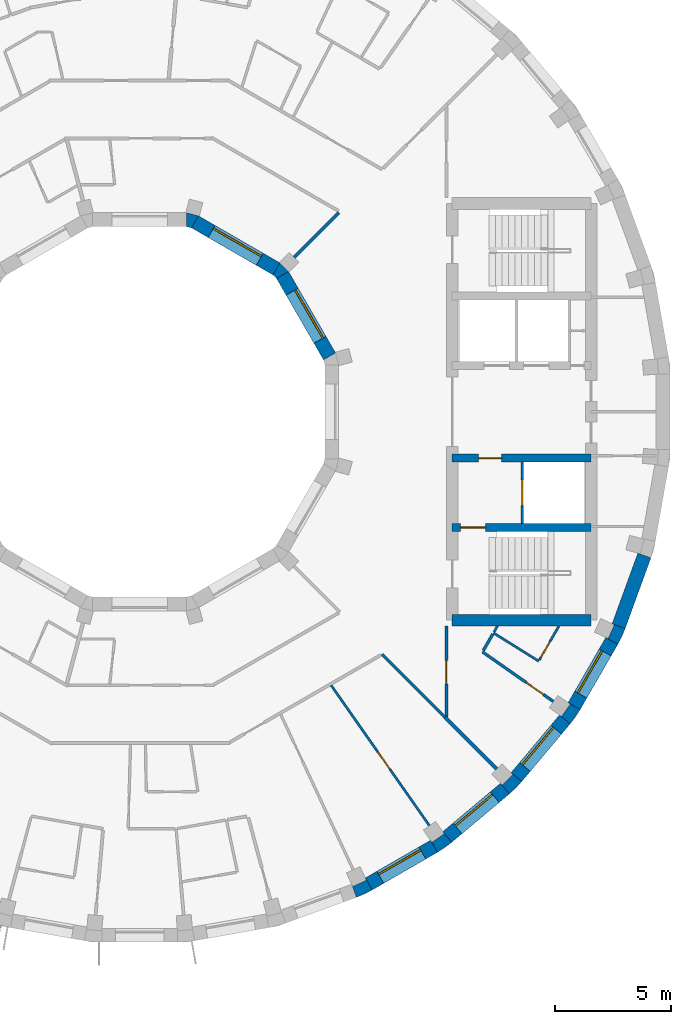
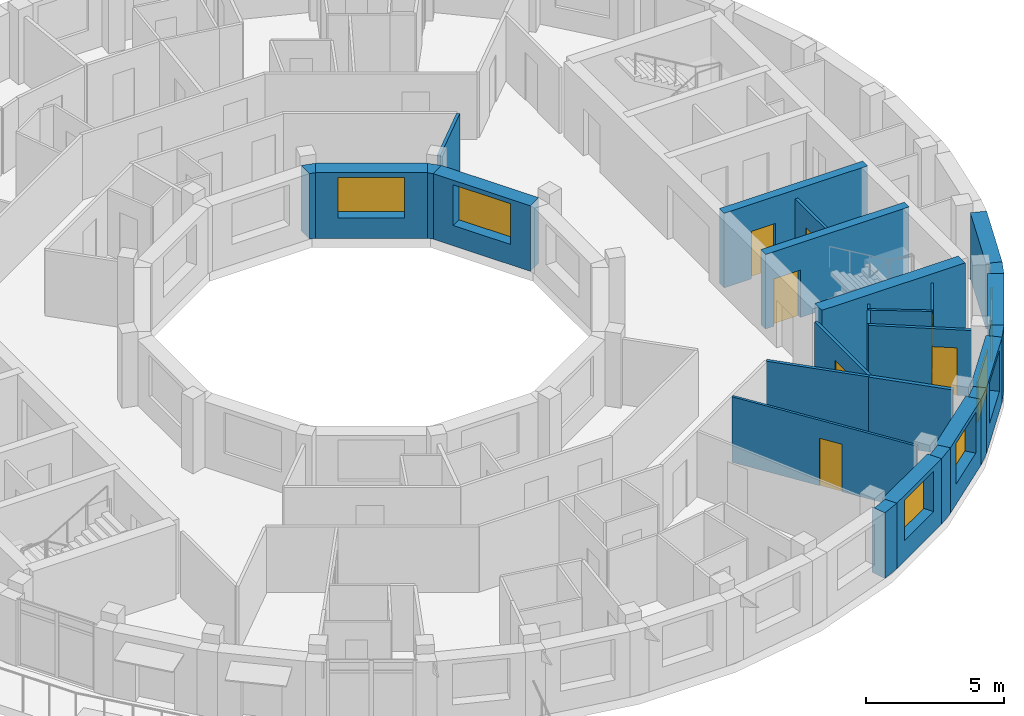
# One storey, part 7 of 12: 28 walls, 7 doors, 6 windows, 13 openings.
"""IFC4 building model written with IfcOpenShell, lengths in metres."""

from ifc_helpers import new_model, si_unit, direction, frame, frame_2d, origin, place, context, subcontext, project, spatial, polyline, rectangle, outline, extrude, material, layer, layer_set, type_object, element, fill, save


model = new_model("IFC4")

# Units and contexts
model_context = context("Model", 3, precision=1e-05, world=origin(), true_north=direction((0.0, 1.0)))
body_context = subcontext(model_context, "Body", "Model", "MODEL_VIEW")
ifc_project = project(units=[si_unit("LENGTHUNIT", "METRE"), si_unit("AREAUNIT", "SQUARE_METRE"), si_unit("VOLUMEUNIT", "CUBIC_METRE"), si_unit("PLANEANGLEUNIT", "RADIAN"), si_unit("MASSUNIT", "GRAM", prefix="KILO")], contexts=[model_context])

# Site, building, storey
site_placement = place(None, origin())
site = spatial("IfcSite", under=ifc_project, at=site_placement, CompositionType="ELEMENT")
building_placement = place(site_placement, origin())
building = spatial("IfcBuilding", under=site, at=building_placement, Name="Saqina Gate Tower", CompositionType="ELEMENT")
storey_placement = place(building_placement, frame((0.0, 0.0, 266.0)))
storey = spatial("IfcBuildingStorey", under=building, at=storey_placement, Name="L76", CompositionType="ELEMENT", Elevation=266.0)

# Walls
ifc_material_1 = material(Name="Brick masonry (buff)", Category="masonry")
wall_type_1 = type_object("IfcWallType", Name="BRICK PIER COPING BUFF", PredefinedType="SOLIDWALL", material=ifc_material_1)
wall_1_placement = place(storey_placement, origin())
element("IfcWall", 1, at=wall_1_placement, inside=storey, type_object=wall_type_1, Name="Pier cap L76 column 30", PredefinedType="SOLIDWALL", context=body_context, shape_type="SweptSolid", body=[
    extrude(outline(polyline([(9.3642578125, -20.974609375), (10.048095703125, -20.65576171875), (9.748291015625, -20.135986328125), (9.79296875, -20.23193359375), (9.203857421875, -20.506591796875), (9.1591796875, -20.410888671875), (9.3642578125, -20.974609375)])), origin(), (0.0, 0.0, 1.0), 2.89990234375),
])
wall_2_placement = place(storey_placement, origin())
element("IfcWall", 2, at=wall_2_placement, inside=storey, type_object=wall_type_1, Name="Pier cap L76 column 31", PredefinedType="SOLIDWALL", context=body_context, shape_type="SweptSolid", body=[
    extrude(outline(polyline([(12.8642578125, -19.02978515625), (13.482421875, -18.59716796875), (13.0966796875, -18.137451171875), (13.157470703125, -18.22412109375), (12.625, -18.596923828125), (12.564208984375, -18.51025390625), (12.8642578125, -19.02978515625)])), origin(), (0.0, 0.0, 1.0), 2.89990234375),
])
wall_3_placement = place(storey_placement, origin())
element("IfcWall", 3, at=wall_3_placement, inside=storey, type_object=wall_type_1, Name="Pier cap L76 column 32", PredefinedType="SOLIDWALL", context=body_context, shape_type="SweptSolid", body=[
    extrude(outline(polyline([(16.5068359375, -15.973388671875), (16.04736328125, -15.587646484375), (16.1220703125, -15.662353515625), (15.662353515625, -16.1220703125), (15.587646484375, -16.04736328125), (15.973388671875, -16.5068359375), (16.5068359375, -15.973388671875)])), origin(), (0.0, 0.0, 1.0), 2.89990234375),
])
wall_4_placement = place(storey_placement, origin())
element("IfcWall", 4, at=wall_4_placement, inside=storey, type_object=wall_type_1, Name="Pier cap L76 column 33", PredefinedType="SOLIDWALL", context=body_context, shape_type="SweptSolid", body=[
    extrude(outline(polyline([(19.02978515625, -12.8642578125), (18.51025390625, -12.564208984375), (18.596923828125, -12.625), (18.22412109375, -13.157470703125), (18.137451171875, -13.0966796875), (18.59716796875, -13.482421875), (19.02978515625, -12.8642578125)])), origin(), (0.0, 0.0, 1.0), 2.89990234375),
])
wall_5_placement = place(storey_placement, origin())
element("IfcWall", 5, at=wall_5_placement, inside=storey, type_object=wall_type_1, Name="Pier cap L76 column 34", PredefinedType="SOLIDWALL", context=body_context, shape_type="SweptSolid", body=[
    extrude(outline(polyline([(20.65576171875, -10.048095703125), (20.974609375, -9.3642578125), (20.410888671875, -9.1591796875), (20.506591796875, -9.203857421875), (20.23193359375, -9.79296875), (20.135986328125, -9.748291015625), (20.65576171875, -10.048095703125)])), origin(), (0.0, 0.0, 1.0), 2.89990234375),
])

# Wall, opening, window
ifc_material_2 = material(Name="Brick masonry (buff)", Category="masonry")
ifc_layer_1 = layer(ifc_material_2, 0.60009765625)
ifc_layer_set_1 = layer_set([ifc_layer_1], Name="FW-BRICK-BUFF")
wall_type_2 = type_object("IfcWallType", Name="FW-BRICK-BUFF", PredefinedType="SOLIDWALL", material=ifc_layer_set_1)
wall_6_placement = place(storey_placement, frame((9.898193359375, -20.39599609375, 0.0), z_axis=(0.0, 0.0, 1.0), x_axis=(0.866016800201, 0.500014901547, 0.0)))
wall_6 = element("IfcWall", 6, at=wall_6_placement, inside=storey, type_object=wall_type_2, Name="Facade wall L76 facet 30", PredefinedType="SOLIDWALL", context=body_context, shape_type="SweptSolid", body=[
    extrude(rectangle(XDim=3.251953125, YDim=0.60009765625, at=frame_2d((1.6259765625, 0.0))), origin(), (0.0, 0.0, 1.0), 2.89990234375),
])
opening_1_placement = place(wall_6_placement, frame((0.57568359375, 0.0, 0.89990234375)))
opening_1 = element("IfcOpeningElement", 7, at=opening_1_placement, cuts=wall_6, Name="Opening G22-W19", PredefinedType="OPENING", context=body_context, shape_type="SweptSolid", body=[
    extrude(rectangle(XDim=2.10009765625, YDim=1.800048828125, at=frame_2d((1.050048828125, 0.89990234375))), frame((0.0, 0.31201171875, 0.0), z_axis=(0.0, -1.0, 0.0), x_axis=(1.0, 0.0, 0.0)), (0.0, 0.0, 1.0), 0.6240234375),
])
ifc_material_3 = material(Name="Aluminium glazing", Category="aluminium")
window_type_1 = type_object("IfcWindowType", Name="WN-D", PartitioningType="SINGLE_PANEL", PredefinedType="WINDOW", material=ifc_material_3)
window_1_placement = place(opening_1_placement, origin())
window_1 = element("IfcWindow", 8, at=window_1_placement, inside=storey, type_object=window_type_1, Name="Window L76 facet 30", OverallHeight=1.800048828125, OverallWidth=2.10009765625, PartitioningType="SINGLE_PANEL", PredefinedType="WINDOW", context=body_context, shape_type="SweptSolid", body=[
    extrude(rectangle(XDim=2.10009765625, YDim=1.800048828125, at=frame_2d((1.050048828125, 0.89990234375))), frame((0.0, 0.179931640625, 0.0), z_axis=(0.0, -1.0, 0.0), x_axis=(1.0, 0.0, 0.0)), (0.0, 0.0, 1.0), 0.06005859375),
])
fill(opening_1, window_1)

wall_7_placement = place(storey_placement, frame((13.28955078125, -18.3671875, 0.0), z_axis=(0.0, 0.0, 1.0), x_axis=(0.766056773982, 0.64277291405, 0.0)))
wall_7 = element("IfcWall", 9, at=wall_7_placement, inside=storey, type_object=wall_type_2, Name="Facade wall L76 facet 31", PredefinedType="SOLIDWALL", context=body_context, shape_type="SweptSolid", body=[
    extrude(rectangle(XDim=3.251708984375, YDim=0.60009765625, at=frame_2d((1.6259765625, 0.0))), origin(), (0.0, 0.0, 1.0), 2.89990234375),
])
opening_2_placement = place(wall_7_placement, frame((0.57568359375, 0.0, 0.89990234375)))
opening_2 = element("IfcOpeningElement", 10, at=opening_2_placement, cuts=wall_7, Name="Opening G22-W20", PredefinedType="OPENING", context=body_context, shape_type="SweptSolid", body=[
    extrude(rectangle(XDim=2.10009765625, YDim=1.800048828125, at=frame_2d((1.050048828125, 0.89990234375))), frame((0.0, 0.31201171875, 0.0), z_axis=(0.0, -1.0, 0.0), x_axis=(1.0, 0.0, 0.0)), (0.0, 0.0, 1.0), 0.6240234375),
])
window_2_placement = place(opening_2_placement, origin())
window_2 = element("IfcWindow", 11, at=window_2_placement, inside=storey, type_object=window_type_1, Name="Window L76 facet 31", OverallHeight=1.800048828125, OverallWidth=2.10009765625, PartitioningType="SINGLE_PANEL", PredefinedType="WINDOW", context=body_context, shape_type="SweptSolid", body=[
    extrude(rectangle(XDim=2.10009765625, YDim=1.800048828125, at=frame_2d((1.050048828125, 0.89990234375))), frame((0.0, 0.179931640625, 0.0), z_axis=(0.0, -1.0, 0.0), x_axis=(1.0, 0.0, 0.0)), (0.0, 0.0, 1.0), 0.06005859375),
])
fill(opening_2, window_2)

wall_8_placement = place(storey_placement, frame((16.277099609375, -15.780517578125, 0.0), z_axis=(0.0, 0.0, 1.0), x_axis=(0.64277291405, 0.766056773982, 0.0)))
wall_8 = element("IfcWall", 12, at=wall_8_placement, inside=storey, type_object=wall_type_2, Name="Facade wall L76 facet 32", PredefinedType="SOLIDWALL", context=body_context, shape_type="SweptSolid", body=[
    extrude(rectangle(XDim=3.251708984375, YDim=0.60009765625, at=frame_2d((1.6259765625, 0.0))), origin(), (0.0, 0.0, 1.0), 2.89990234375),
])
opening_3_placement = place(wall_8_placement, frame((0.57568359375, 0.0, 0.89990234375)))
opening_3 = element("IfcOpeningElement", 13, at=opening_3_placement, cuts=wall_8, Name="Opening G22-W21", PredefinedType="OPENING", context=body_context, shape_type="SweptSolid", body=[
    extrude(rectangle(XDim=2.10009765625, YDim=1.800048828125, at=frame_2d((1.050048828125, 0.89990234375))), frame((0.0, 0.31201171875, 0.0), z_axis=(0.0, -1.0, 0.0), x_axis=(1.0, 0.0, 0.0)), (0.0, 0.0, 1.0), 0.6240234375),
])
window_3_placement = place(opening_3_placement, origin())
window_3 = element("IfcWindow", 14, at=window_3_placement, inside=storey, type_object=window_type_1, Name="Window L76 facet 32", OverallHeight=1.800048828125, OverallWidth=2.10009765625, PartitioningType="SINGLE_PANEL", PredefinedType="WINDOW", context=body_context, shape_type="SweptSolid", body=[
    extrude(rectangle(XDim=2.10009765625, YDim=1.800048828125, at=frame_2d((1.050048828125, 0.89990234375))), frame((0.0, 0.179931640625, 0.0), z_axis=(0.0, -1.0, 0.0), x_axis=(1.0, 0.0, 0.0)), (0.0, 0.0, 1.0), 0.06005859375),
])
fill(opening_3, window_3)

wall_9_placement = place(storey_placement, frame((18.77001953125, -12.71435546875, 0.0), z_axis=(0.0, 0.0, 1.0), x_axis=(0.500014901547, 0.866016800201, 0.0)))
wall_9 = element("IfcWall", 15, at=wall_9_placement, inside=storey, type_object=wall_type_2, Name="Facade wall L76 facet 33", PredefinedType="SOLIDWALL", context=body_context, shape_type="SweptSolid", body=[
    extrude(rectangle(XDim=3.251953125, YDim=0.60009765625, at=frame_2d((1.6259765625, 0.0))), origin(), (0.0, 0.0, 1.0), 2.89990234375),
])
opening_4_placement = place(wall_9_placement, frame((0.57568359375, 0.0, 0.89990234375)))
opening_4 = element("IfcOpeningElement", 16, at=opening_4_placement, cuts=wall_9, Name="Opening G22-W22", PredefinedType="OPENING", context=body_context, shape_type="SweptSolid", body=[
    extrude(rectangle(XDim=2.10009765625, YDim=1.800048828125, at=frame_2d((1.050048828125, 0.89990234375))), frame((0.0, 0.31201171875, 0.0), z_axis=(0.0, -1.0, 0.0), x_axis=(1.0, 0.0, 0.0)), (0.0, 0.0, 1.0), 0.6240234375),
])
window_4_placement = place(opening_4_placement, origin())
window_4 = element("IfcWindow", 17, at=window_4_placement, inside=storey, type_object=window_type_1, Name="Window L76 facet 33", OverallHeight=1.800048828125, OverallWidth=2.10009765625, PartitioningType="SINGLE_PANEL", PredefinedType="WINDOW", context=body_context, shape_type="SweptSolid", body=[
    extrude(rectangle(XDim=2.10009765625, YDim=1.800048828125, at=frame_2d((1.050048828125, 0.89990234375))), frame((0.0, 0.179931640625, 0.0), z_axis=(0.0, -1.0, 0.0), x_axis=(1.0, 0.0, 0.0)), (0.0, 0.0, 1.0), 0.06005859375),
])
fill(opening_4, window_4)

# Wall
ifc_material_4 = material(Name="Glazed ceramic tile (dark blue)", Category="ceramic")
ifc_layer_2 = layer(ifc_material_4, 0.60009765625)
ifc_layer_set_2 = layer_set([ifc_layer_2], Name="FW-TILE-CB")
wall_type_3 = type_object("IfcWallType", Name="FW-TILE-CB", PredefinedType="SOLIDWALL", material=ifc_layer_set_2)
wall_10_placement = place(storey_placement, frame((20.692626953125, -9.26171875, 0.0), z_axis=(0.0, 0.0, 1.0), x_axis=(0.342056509473, 0.939679383794, 0.0)))
element("IfcWall", 18, at=wall_10_placement, inside=storey, type_object=wall_type_3, Name="Facade wall L76 facet 34", PredefinedType="SOLIDWALL", context=body_context, shape_type="SweptSolid", body=[
    extrude(rectangle(XDim=3.251708984375, YDim=0.60009765625, at=frame_2d((1.6259765625, 0.0))), origin(), (0.0, 0.0, 1.0), 2.89990234375),
])

# Wall, opening, window
ifc_material_5 = material(Name="Glazed ceramic tile", Category="ceramic")
ifc_layer_3 = layer(ifc_material_5, 0.60009765625)
ifc_layer_set_3 = layer_set([ifc_layer_3], Name="IW-TILE")
wall_type_4 = type_object("IfcWallType", Name="IW-TILE", PredefinedType="SOLIDWALL", material=ifc_layer_set_3)
wall_11_placement = place(storey_placement, frame((8.20263671875, 2.392578125, 0.0), z_axis=(0.0, 0.0, 1.0), x_axis=(-0.499994954979, 0.866028316509, 0.0)))
wall_11 = element("IfcWall", 19, at=wall_11_placement, inside=storey, type_object=wall_type_4, Name="Well wall L76 facet 1", PredefinedType="SOLIDWALL", context=body_context, shape_type="SweptSolid", body=[
    extrude(rectangle(XDim=4.05859375, YDim=0.60009765625, at=frame_2d((2.029296875, 0.0))), origin(), (0.0, 0.0, 1.0), 2.89990234375),
])
opening_5_placement = place(wall_11_placement, frame((0.829345703125, 0.0, 0.89990234375)))
opening_5 = element("IfcOpeningElement", 20, at=opening_5_placement, cuts=wall_11, Name="Opening G22-W23", PredefinedType="OPENING", context=body_context, shape_type="SweptSolid", body=[
    extrude(rectangle(XDim=2.39990234375, YDim=1.800048828125, at=frame_2d((1.199951171875, 0.89990234375))), frame((0.0, 0.31201171875, 0.0), z_axis=(0.0, -1.0, 0.0), x_axis=(1.0, 0.0, 0.0)), (0.0, 0.0, 1.0), 0.6240234375),
])
ifc_material_6 = material(Name="Aluminium glazing", Category="aluminium")
window_type_2 = type_object("IfcWindowType", Name="WN-W", PartitioningType="SINGLE_PANEL", PredefinedType="WINDOW", material=ifc_material_6)
window_5_placement = place(opening_5_placement, origin())
window_5 = element("IfcWindow", 21, at=window_5_placement, inside=storey, type_object=window_type_2, Name="Well window L76 facet 1", OverallHeight=1.800048828125, OverallWidth=2.39990234375, PartitioningType="SINGLE_PANEL", PredefinedType="WINDOW", context=body_context, shape_type="SweptSolid", body=[
    extrude(rectangle(XDim=2.39990234375, YDim=1.800048828125, at=frame_2d((1.199951171875, 0.89990234375))), frame((0.0, -0.119873046875, 0.0), z_axis=(0.0, -1.0, 0.0), x_axis=(1.0, 0.0, 0.0)), (0.0, 0.0, 1.0), 0.06005859375),
])
fill(opening_5, window_5)

wall_12_placement = place(storey_placement, frame((5.907470703125, 6.17333984375, 0.0), z_axis=(0.0, 0.0, 1.0), x_axis=(-0.866028316509, 0.499994954979, 0.0)))
wall_12 = element("IfcWall", 22, at=wall_12_placement, inside=storey, type_object=wall_type_4, Name="Well wall L76 facet 2", PredefinedType="SOLIDWALL", context=body_context, shape_type="SweptSolid", body=[
    extrude(rectangle(XDim=4.05859375, YDim=0.60009765625, at=frame_2d((2.029296875, 0.0))), origin(), (0.0, 0.0, 1.0), 2.89990234375),
])
opening_6_placement = place(wall_12_placement, frame((0.829345703125, 0.0, 0.89990234375)))
opening_6 = element("IfcOpeningElement", 23, at=opening_6_placement, cuts=wall_12, Name="Opening G22-W24", PredefinedType="OPENING", context=body_context, shape_type="SweptSolid", body=[
    extrude(rectangle(XDim=2.39990234375, YDim=1.800048828125, at=frame_2d((1.199951171875, 0.89990234375))), frame((0.0, 0.31201171875, 0.0), z_axis=(0.0, -1.0, 0.0), x_axis=(1.0, 0.0, 0.0)), (0.0, 0.0, 1.0), 0.6240234375),
])
window_6_placement = place(opening_6_placement, origin())
window_6 = element("IfcWindow", 24, at=window_6_placement, inside=storey, type_object=window_type_2, Name="Well window L76 facet 2", OverallHeight=1.800048828125, OverallWidth=2.39990234375, PartitioningType="SINGLE_PANEL", PredefinedType="WINDOW", context=body_context, shape_type="SweptSolid", body=[
    extrude(rectangle(XDim=2.39990234375, YDim=1.800048828125, at=frame_2d((1.199951171875, 0.89990234375))), frame((0.0, -0.119873046875, 0.0), z_axis=(0.0, -1.0, 0.0), x_axis=(1.0, 0.0, 0.0)), (0.0, 0.0, 1.0), 0.06005859375),
])
fill(opening_6, window_6)

# Wall, opening, door
ifc_material_7 = material(Name="Gypsum board on steel studs, 100 mm", Category="steel")
ifc_layer_4 = layer(ifc_material_7, 0.10009765625)
ifc_layer_set_4 = layer_set([ifc_layer_4], Name="PARTITION 100")
wall_type_5 = type_object("IfcWallType", Name="PARTITION 100", PredefinedType="PARTITIONING", material=ifc_layer_set_4)
wall_13_placement = place(storey_placement, frame((8.275390625, -11.818115234375, 0.0), z_axis=(0.0, 0.0, 1.0), x_axis=(0.573597629831, -0.819137204046, 0.0)))
wall_13 = element("IfcWall", 25, at=wall_13_placement, inside=storey, type_object=wall_type_5, Name="PARTITION PW3-14", PredefinedType="PARTITIONING", context=body_context, shape_type="SweptSolid", body=[
    extrude(rectangle(XDim=7.3876953125, YDim=0.10009765625, at=frame_2d((3.69384765625, 0.0))), origin(), (0.0, 0.0, 1.0), 2.89990234375),
])
opening_7_placement = place(wall_13_placement, frame((3.50390625, 0.0, 0.0)))
opening_7 = element("IfcOpeningElement", 26, at=opening_7_placement, cuts=wall_13, Name="Opening G22-D42", PredefinedType="OPENING", context=body_context, shape_type="SweptSolid", body=[
    extrude(rectangle(XDim=0.89990234375, YDim=2.10009765625, at=frame_2d((0.449951171875, 1.050048828125))), frame((0.0, 0.06201171875, 0.0), z_axis=(0.0, -1.0, 0.0), x_axis=(1.0, 0.0, 0.0)), (0.0, 0.0, 1.0), 0.1240234375),
])
ifc_material_8 = material(Name="Timber door leaf, 900 mm", Category="wood")
door_type_1 = type_object("IfcDoorType", Name="DOOR 900 TIMBER", OperationType="SINGLE_SWING_LEFT", PredefinedType="DOOR", material=ifc_material_8)
door_1_placement = place(opening_7_placement, frame((0.89990234375, 0.0, 0.0), z_axis=(0.0, 0.0, 1.0), x_axis=(-1.0, 0.0, 0.0)))
door_1 = element("IfcDoor", 27, at=door_1_placement, inside=storey, type_object=door_type_1, Name="DOOR G22-D42", OperationType="SINGLE_SWING_LEFT", OverallHeight=2.10009765625, OverallWidth=0.89990234375, PredefinedType="DOOR", context=body_context, shape_type="SweptSolid", body=[
    extrude(rectangle(XDim=0.89990234375, YDim=2.10009765625, at=frame_2d((0.449951171875, 1.050048828125))), frame((0.0, 0.02490234375, 0.0), z_axis=(0.0, -1.0, 0.0), x_axis=(1.0, 0.0, 0.0)), (0.0, 0.0, 1.0), 0.050048828125),
])
fill(opening_7, door_1)

# Walls
wall_14_placement = place(storey_placement, frame((15.284912109375, -9.550048828125, 0.0), z_axis=(0.0, 0.0, 1.0), x_axis=(0.848022135911, -0.529960807047, 0.0)))
element("IfcWall", 28, at=wall_14_placement, inside=storey, type_object=wall_type_5, Name="PARTITION PW3-15", PredefinedType="PARTITIONING", context=body_context, shape_type="SweptSolid", body=[
    extrude(rectangle(XDim=2.302001953125, YDim=0.10009765625, at=frame_2d((1.15087890625, 0.0))), origin(), (0.0, 0.0, 1.0), 2.89990234375),
])
wall_15_placement = place(storey_placement, frame((15.31005859375, -9.5068359375, 0.0), z_axis=(0.0, 0.0, 1.0), x_axis=(0.503206273965, 0.864166329963, 0.0)))
element("IfcWall", 29, at=wall_15_placement, inside=storey, type_object=wall_type_5, Name="PARTITION PW3-41", PredefinedType="PARTITIONING", context=body_context, shape_type="SweptSolid", body=[
    extrude(rectangle(XDim=0.296875, YDim=0.10009765625, at=frame_2d((0.1484375, 0.0))), origin(), (0.0, 0.0, 1.0), 2.89990234375),
])

# Wall, opening, door
wall_16_placement = place(storey_placement, frame((17.261962890625, -10.726806640625, 0.0), z_axis=(0.0, 0.0, 1.0), x_axis=(0.499743113806, 0.866173666307, 0.0)))
wall_16 = element("IfcWall", 30, at=wall_16_placement, inside=storey, type_object=wall_type_5, Name="PARTITION PW3-42", PredefinedType="PARTITIONING", context=body_context, shape_type="SweptSolid", body=[
    extrude(rectangle(XDim=1.705078125, YDim=0.10009765625, at=frame_2d((0.8525390625, 0.0))), origin(), (0.0, 0.0, 1.0), 2.89990234375),
])
opening_8_placement = place(wall_16_placement, frame((0.12744140625, 0.0, 0.0)))
opening_8 = element("IfcOpeningElement", 31, at=opening_8_placement, cuts=wall_16, Name="Opening G22-D45", PredefinedType="OPENING", context=body_context, shape_type="SweptSolid", body=[
    extrude(rectangle(XDim=0.800048828125, YDim=2.10009765625, at=frame_2d((0.39990234375, 1.050048828125))), frame((0.0, 0.06201171875, 0.0), z_axis=(0.0, -1.0, 0.0), x_axis=(1.0, 0.0, 0.0)), (0.0, 0.0, 1.0), 0.1240234375),
])
ifc_material_9 = material(Name="Timber door leaf, 800 mm", Category="wood")
door_type_2 = type_object("IfcDoorType", Name="DOOR 800 TIMBER", OperationType="SINGLE_SWING_LEFT", PredefinedType="DOOR", material=ifc_material_9)
door_2_placement = place(opening_8_placement, frame((0.800048828125, 0.0, 0.0), z_axis=(0.0, 0.0, 1.0), x_axis=(-1.0, 0.0, 0.0)))
door_2 = element("IfcDoor", 32, at=door_2_placement, inside=storey, type_object=door_type_2, Name="DOOR G22-D45", OperationType="SINGLE_SWING_RIGHT", OverallHeight=2.10009765625, OverallWidth=0.800048828125, PredefinedType="DOOR", context=body_context, shape_type="SweptSolid", body=[
    extrude(rectangle(XDim=0.800048828125, YDim=2.10009765625, at=frame_2d((0.39990234375, 1.050048828125))), frame((0.0, 0.02490234375, 0.0), z_axis=(0.0, -1.0, 0.0), x_axis=(1.0, 0.0, 0.0)), (0.0, 0.0, 1.0), 0.050048828125),
])
fill(opening_8, door_2)

# Wall
ifc_material_10 = material(Name="Gypsum board on steel studs, 125 mm, fire rated", Category="steel")
ifc_layer_5 = layer(ifc_material_10, 0.125)
ifc_layer_set_5 = layer_set([ifc_layer_5], Name="PARTITION EI 30 125")
wall_type_6 = type_object("IfcWallType", Name="PARTITION EI 30 125", PredefinedType="PARTITIONING", material=ifc_layer_set_5)
wall_17_placement = place(storey_placement, frame((10.47705078125, -10.47509765625, 0.0), z_axis=(0.0, 0.0, 1.0), x_axis=(0.707106781187, -0.707106781187, 0.0)))
element("IfcWall", 33, at=wall_17_placement, inside=storey, type_object=wall_type_6, Name="PARTITION PW1-07", PredefinedType="PARTITIONING", context=body_context, shape_type="SweptSolid", body=[
    extrude(rectangle(XDim=3.847900390625, YDim=0.125, at=frame_2d((1.923828125, 0.0))), origin(), (0.0, 0.0, 1.0), 2.89990234375),
])

# Wall, opening, door
wall_18_placement = place(storey_placement, frame((14.81103515625, -10.37109375, 0.0), z_axis=(0.0, 0.0, 1.0), x_axis=(0.819345561084, -0.57329996645, 0.0)))
wall_18 = element("IfcWall", 34, at=wall_18_placement, inside=storey, type_object=wall_type_6, Name="PARTITION PW1-08", PredefinedType="PARTITIONING", context=body_context, shape_type="SweptSolid", body=[
    extrude(rectangle(XDim=3.73388671875, YDim=0.125, at=frame_2d((1.866943359375, 0.0))), origin(), (0.0, 0.0, 1.0), 2.89990234375),
])
opening_9_placement = place(wall_18_placement, frame((2.30810546875, 0.0, 0.0)))
opening_9 = element("IfcOpeningElement", 35, at=opening_9_placement, cuts=wall_18, Name="Opening G22-D44", PredefinedType="OPENING", context=body_context, shape_type="SweptSolid", body=[
    extrude(rectangle(XDim=0.89990234375, YDim=2.10009765625, at=frame_2d((0.449951171875, 1.050048828125))), frame((0.0, 0.074462890625, 0.0), z_axis=(0.0, -1.0, 0.0), x_axis=(1.0, 0.0, 0.0)), (0.0, 0.0, 1.0), 0.14892578125),
])
ifc_material_11 = material(Name="Fire door leaf EI 30, 900 mm")
door_type_3 = type_object("IfcDoorType", Name="DOOR 900 EI 30", OperationType="SINGLE_SWING_LEFT", PredefinedType="DOOR", material=ifc_material_11)
door_3_placement = place(opening_9_placement, frame((0.89990234375, 0.0, 0.0), z_axis=(0.0, 0.0, 1.0), x_axis=(-1.0, 0.0, 0.0)))
door_3 = element("IfcDoor", 36, at=door_3_placement, inside=storey, type_object=door_type_3, Name="DOOR G22-D44", OperationType="SINGLE_SWING_LEFT", OverallHeight=2.10009765625, OverallWidth=0.89990234375, PredefinedType="DOOR", context=body_context, shape_type="SweptSolid", body=[
    extrude(rectangle(XDim=0.89990234375, YDim=2.10009765625, at=frame_2d((0.449951171875, 1.050048828125))), frame((0.0, 0.02490234375, 0.0), z_axis=(0.0, -1.0, 0.0), x_axis=(1.0, 0.0, 0.0)), (0.0, 0.0, 1.0), 0.050048828125),
])
fill(opening_9, door_3)

# Walls
wall_19_placement = place(storey_placement, frame((6.6767578125, 6.6767578125, 0.0), z_axis=(0.0, 0.0, 1.0), x_axis=(0.707106781187, 0.707106781187, 0.0)))
element("IfcWall", 37, at=wall_19_placement, inside=storey, type_object=wall_type_6, Name="PARTITION PW1-32", PredefinedType="PARTITIONING", context=body_context, shape_type="SweptSolid", body=[
    extrude(rectangle(XDim=2.722412109375, YDim=0.125, at=frame_2d((1.361328125, 0.0))), origin(), (0.0, 0.0, 1.0), 2.89990234375),
])
wall_20_placement = place(storey_placement, frame((14.84326171875, -10.315185546875, 0.0), z_axis=(0.0, 0.0, 1.0), x_axis=(0.499950631041, 0.86605390509, 0.0)))
element("IfcWall", 38, at=wall_20_placement, inside=storey, type_object=wall_type_6, Name="PARTITION PW1-36", PredefinedType="PARTITIONING", context=body_context, shape_type="SweptSolid", body=[
    extrude(rectangle(XDim=0.83349609375, YDim=0.125, at=frame_2d((0.416748046875, 0.0))), origin(), (0.0, 0.0, 1.0), 2.89990234375),
])

# Wall, opening, door
wall_21_placement = place(storey_placement, frame((13.25, -13.185546875, 0.0), z_axis=(0.0, 0.0, 1.0), x_axis=(0.0, 1.0, 0.0)))
wall_21 = element("IfcWall", 39, at=wall_21_placement, inside=storey, type_object=wall_type_6, Name="PARTITION PW1-42", PredefinedType="PARTITIONING", context=body_context, shape_type="SweptSolid", body=[
    extrude(rectangle(XDim=3.9345703125, YDim=0.125, at=frame_2d((1.96728515625, 0.0))), origin(), (0.0, 0.0, 1.0), 2.89990234375),
])
opening_10_placement = place(wall_21_placement, frame((1.435546875, 0.0, 0.0)))
opening_10 = element("IfcOpeningElement", 40, at=opening_10_placement, cuts=wall_21, Name="Opening G22-D43", PredefinedType="OPENING", context=body_context, shape_type="SweptSolid", body=[
    extrude(rectangle(XDim=1.0, YDim=2.10009765625, at=frame_2d((0.5, 1.050048828125))), frame((0.0, 0.074462890625, 0.0), z_axis=(0.0, -1.0, 0.0), x_axis=(1.0, 0.0, 0.0)), (0.0, 0.0, 1.0), 0.14892578125),
])
ifc_material_12 = material(Name="Fire door leaf EI 30, 1000 mm")
door_type_4 = type_object("IfcDoorType", Name="DOOR 1000 EI 30", OperationType="SINGLE_SWING_LEFT", PredefinedType="DOOR", material=ifc_material_12)
door_4_placement = place(opening_10_placement, frame((1.0, 0.0, 0.0), z_axis=(0.0, 0.0, 1.0), x_axis=(-1.0, 0.0, 0.0)))
door_4 = element("IfcDoor", 41, at=door_4_placement, inside=storey, type_object=door_type_4, Name="DOOR G22-D43", OperationType="SINGLE_SWING_RIGHT", OverallHeight=2.10009765625, OverallWidth=1.0, PredefinedType="DOOR", context=body_context, shape_type="SweptSolid", body=[
    extrude(rectangle(XDim=1.0, YDim=2.10009765625, at=frame_2d((0.5, 1.050048828125))), frame((0.0, 0.02490234375, 0.0), z_axis=(0.0, -1.0, 0.0), x_axis=(1.0, 0.0, 0.0)), (0.0, 0.0, 1.0), 0.050048828125),
])
fill(opening_10, door_4)

# Wall
ifc_material_13 = material(Name="Gypsum board on steel studs, 150 mm, fire rated", Category="steel")
ifc_layer_6 = layer(ifc_material_13, 0.14990234375)
ifc_layer_set_6 = layer_set([ifc_layer_6], Name="PARTITION EI 60 150")
wall_type_7 = type_object("IfcWallType", Name="PARTITION EI 60 150", PredefinedType="PARTITIONING", material=ifc_layer_set_6)
wall_22_placement = place(storey_placement, frame((13.197998046875, -13.196044921875, 0.0), z_axis=(0.0, 0.0, 1.0), x_axis=(0.707261695581, -0.706951832845, 0.0)))
element("IfcWall", 42, at=wall_22_placement, inside=storey, type_object=wall_type_7, Name="PARTITION PW2-03", PredefinedType="PARTITIONING", context=body_context, shape_type="SweptSolid", body=[
    extrude(rectangle(XDim=3.151611328125, YDim=0.14990234375, at=frame_2d((1.57568359375, 0.0))), origin(), (0.0, 0.0, 1.0), 2.89990234375),
])

# Wall, opening, door
ifc_material_14 = material(Name="Autoclaved aerated concrete block", Category="concrete")
ifc_layer_7 = layer(ifc_material_14, 0.1201171875)
ifc_layer_set_7 = layer_set([ifc_layer_7], Name="SHAFT PARTITION")
wall_type_8 = type_object("IfcWallType", Name="SHAFT PARTITION", PredefinedType="PARTITIONING", material=ifc_layer_set_7)
wall_23_placement = place(storey_placement, frame((16.530029296875, -4.824951171875, 0.0), z_axis=(0.0, 0.0, 1.0), x_axis=(0.0, 1.0, 0.0)))
wall_23 = element("IfcWall", 43, at=wall_23_placement, inside=storey, type_object=wall_type_8, Name="L76-CP-E08", PredefinedType="PARTITIONING", context=body_context, shape_type="SweptSolid", body=[
    extrude(rectangle(XDim=2.64990234375, YDim=0.1201171875, at=frame_2d((1.324951171875, 0.0))), origin(), (0.0, 0.0, 1.0), 2.89990234375),
])
opening_11_placement = place(wall_23_placement, frame((0.77490234375, 0.0, 0.0)))
opening_11 = element("IfcOpeningElement", 44, at=opening_11_placement, cuts=wall_23, Name="Opening G22-LD3", PredefinedType="OPENING", context=body_context, shape_type="SweptSolid", body=[
    extrude(rectangle(XDim=1.10009765625, YDim=2.10009765625, at=frame_2d((0.550048828125, 1.050048828125))), frame((0.0, 0.072021484375, 0.0), z_axis=(0.0, -1.0, 0.0), x_axis=(1.0, 0.0, 0.0)), (0.0, 0.0, 1.0), 0.14404296875),
])
ifc_material_15 = material(Name="Stainless steel", Category="steel")
door_type_5 = type_object("IfcDoorType", Name="LANDING DOOR", OperationType="DOUBLE_DOOR_SLIDING", PredefinedType="DOOR", material=ifc_material_15)
door_5_placement = place(opening_11_placement, origin())
door_5 = element("IfcDoor", 45, at=door_5_placement, inside=storey, type_object=door_type_5, Name="LANDING DOOR FF1", OperationType="DOUBLE_DOOR_SLIDING", OverallHeight=2.10009765625, OverallWidth=1.10009765625, PredefinedType="DOOR", context=body_context, shape_type="SweptSolid", body=[
    extrude(rectangle(XDim=1.10009765625, YDim=2.10009765625, at=frame_2d((0.550048828125, 1.050048828125))), frame((0.0, 0.02490234375, 0.0), z_axis=(0.0, -1.0, 0.0), x_axis=(1.0, 0.0, 0.0)), (0.0, 0.0, 1.0), 0.050048828125),
])
fill(opening_11, door_5)

ifc_material_16 = material(Name="Concrete C60/75", Category="concrete")
ifc_layer_8 = layer(ifc_material_16, 0.35009765625)
ifc_layer_set_8 = layer_set([ifc_layer_8], Name="Concrete C60/75")
wall_type_9 = type_object("IfcWallType", Name="STR-CORE WALL-D-I", PredefinedType="SHEAR", material=ifc_layer_set_8)
wall_24_placement = place(storey_placement, frame((13.5, -5.0, 0.0), z_axis=(0.0, 0.0, 1.0), x_axis=(1.0, 0.0, 0.0)))
wall_24 = element("IfcWall", 46, at=wall_24_placement, inside=storey, type_object=wall_type_9, Name="CORE WALL L76 E-X2", PredefinedType="SHEAR", context=body_context, shape_type="SweptSolid", body=[
    extrude(rectangle(XDim=6.0, YDim=0.35009765625, at=frame_2d((3.0, 0.0))), origin(), (0.0, 0.0, 1.0), 3.300048828125),
])
opening_12_placement = place(wall_24_placement, frame((0.35009765625, 0.0, 0.0)))
opening_12 = element("IfcOpeningElement", 47, at=opening_12_placement, cuts=wall_24, Name="Opening G22-D96", PredefinedType="OPENING", context=body_context, shape_type="SweptSolid", body=[
    extrude(rectangle(XDim=1.10009765625, YDim=2.10009765625, at=frame_2d((0.550048828125, 1.050048828125))), frame((0.0, 0.18701171875, 0.0), z_axis=(0.0, -1.0, 0.0), x_axis=(1.0, 0.0, 0.0)), (0.0, 0.0, 1.0), 0.3740234375),
])
ifc_material_17 = material(Name="Steel", Category="steel")
door_type_6 = type_object("IfcDoorType", Name="FIRE LOBBY DOOR EI 60 WIDE", OperationType="SINGLE_SWING_LEFT", PredefinedType="DOOR", material=ifc_material_17)
door_6_placement = place(opening_12_placement, frame((1.10009765625, 0.0, 0.0), z_axis=(0.0, 0.0, 1.0), x_axis=(-1.0, 0.0, 0.0)))
door_6 = element("IfcDoor", 48, at=door_6_placement, inside=storey, type_object=door_type_6, Name="L76-CD-E07", OperationType="SINGLE_SWING_RIGHT", OverallHeight=2.10009765625, OverallWidth=1.10009765625, PredefinedType="DOOR", context=body_context, shape_type="SweptSolid", body=[
    extrude(rectangle(XDim=1.10009765625, YDim=2.10009765625, at=frame_2d((0.550048828125, 1.050048828125))), frame((0.0, 0.02490234375, 0.0), z_axis=(0.0, -1.0, 0.0), x_axis=(1.0, 0.0, 0.0)), (0.0, 0.0, 1.0), 0.050048828125),
])
fill(opening_12, door_6)

wall_25_placement = place(storey_placement, frame((13.5, -2.0, 0.0), z_axis=(0.0, 0.0, 1.0), x_axis=(1.0, 0.0, 0.0)))
wall_25 = element("IfcWall", 49, at=wall_25_placement, inside=storey, type_object=wall_type_9, Name="CORE WALL L76 E-L2", PredefinedType="SHEAR", context=body_context, shape_type="SweptSolid", body=[
    extrude(rectangle(XDim=6.0, YDim=0.35009765625, at=frame_2d((3.0, 0.0))), origin(), (0.0, 0.0, 1.0), 3.300048828125),
])
opening_13_placement = place(wall_25_placement, frame((1.139892578125, 0.0, 0.0)))
opening_13 = element("IfcOpeningElement", 50, at=opening_13_placement, cuts=wall_25, Name="Opening G22-D91", PredefinedType="OPENING", context=body_context, shape_type="SweptSolid", body=[
    extrude(rectangle(XDim=1.0, YDim=2.10009765625, at=frame_2d((0.5, 1.050048828125))), frame((0.0, 0.18701171875, 0.0), z_axis=(0.0, -1.0, 0.0), x_axis=(1.0, 0.0, 0.0)), (0.0, 0.0, 1.0), 0.3740234375),
])
ifc_material_18 = material(Name="Steel", Category="steel")
door_type_7 = type_object("IfcDoorType", Name="FIRE LOBBY DOOR EI 60", OperationType="SINGLE_SWING_LEFT", PredefinedType="DOOR", material=ifc_material_18)
door_7_placement = place(opening_13_placement, origin())
door_7 = element("IfcDoor", 51, at=door_7_placement, inside=storey, type_object=door_type_7, Name="L76-CD-E02", OperationType="SINGLE_SWING_LEFT", OverallHeight=2.10009765625, OverallWidth=1.0, PredefinedType="DOOR", context=body_context, shape_type="SweptSolid", body=[
    extrude(rectangle(XDim=1.0, YDim=2.10009765625, at=frame_2d((0.5, 1.050048828125))), frame((0.0, 0.02490234375, 0.0), z_axis=(0.0, -1.0, 0.0), x_axis=(1.0, 0.0, 0.0)), (0.0, 0.0, 1.0), 0.050048828125),
])
fill(opening_13, door_7)

# Walls
ifc_material_19 = material(Name="Concrete C60/75", Category="concrete")
ifc_layer_9 = layer(ifc_material_19, 0.5)
ifc_layer_set_9 = layer_set([ifc_layer_9], Name="Concrete C60/75")
wall_type_10 = type_object("IfcWallType", Name="STR-CORE WALL-D-O", PredefinedType="SHEAR", material=ifc_layer_set_9)
wall_26_placement = place(storey_placement, frame((13.5, -9.0, 0.0), z_axis=(0.0, 0.0, 1.0), x_axis=(1.0, 0.0, 0.0)))
element("IfcWall", 52, at=wall_26_placement, inside=storey, type_object=wall_type_10, Name="CORE WALL L76 E-SE", PredefinedType="SHEAR", context=body_context, shape_type="SweptSolid", body=[
    extrude(rectangle(XDim=6.0, YDim=0.5, at=frame_2d((3.0, 0.0))), origin(), (0.0, 0.0, 1.0), 3.300048828125),
])
ifc_material_20 = material(Name="Glazed ceramic tile", Category="ceramic")
wall_type_11 = type_object("IfcWallType", Name="TILE PIER COPING", PredefinedType="SOLIDWALL", material=ifc_material_20)
wall_27_placement = place(storey_placement, origin())
element("IfcWall", 53, at=wall_27_placement, inside=storey, type_object=wall_type_11, Name="Well pier cap L76 column 2", PredefinedType="SOLIDWALL", context=body_context, shape_type="SweptSolid", body=[
    extrude(outline(polyline([(6.0576171875, 6.43310546875), (5.757568359375, 5.91357421875), (5.91357421875, 5.757568359375), (6.43310546875, 6.0576171875), (6.0576171875, 6.43310546875)])), origin(), (0.0, 0.0, 1.0), 2.89990234375),
])
wall_28_placement = place(storey_placement, origin())
element("IfcWall", 54, at=wall_28_placement, inside=storey, type_object=wall_type_11, Name="Well pier cap L76 column 3", PredefinedType="SOLIDWALL", context=body_context, shape_type="SweptSolid", body=[
    extrude(outline(polyline([(2.029296875, 8.60009765625), (2.029296875, 8.0), (2.242431640625, 7.94287109375), (2.54248046875, 8.46240234375), (2.029296875, 8.60009765625)])), origin(), (0.0, 0.0, 1.0), 2.89990234375),
])

save(model, "model.ifc")
